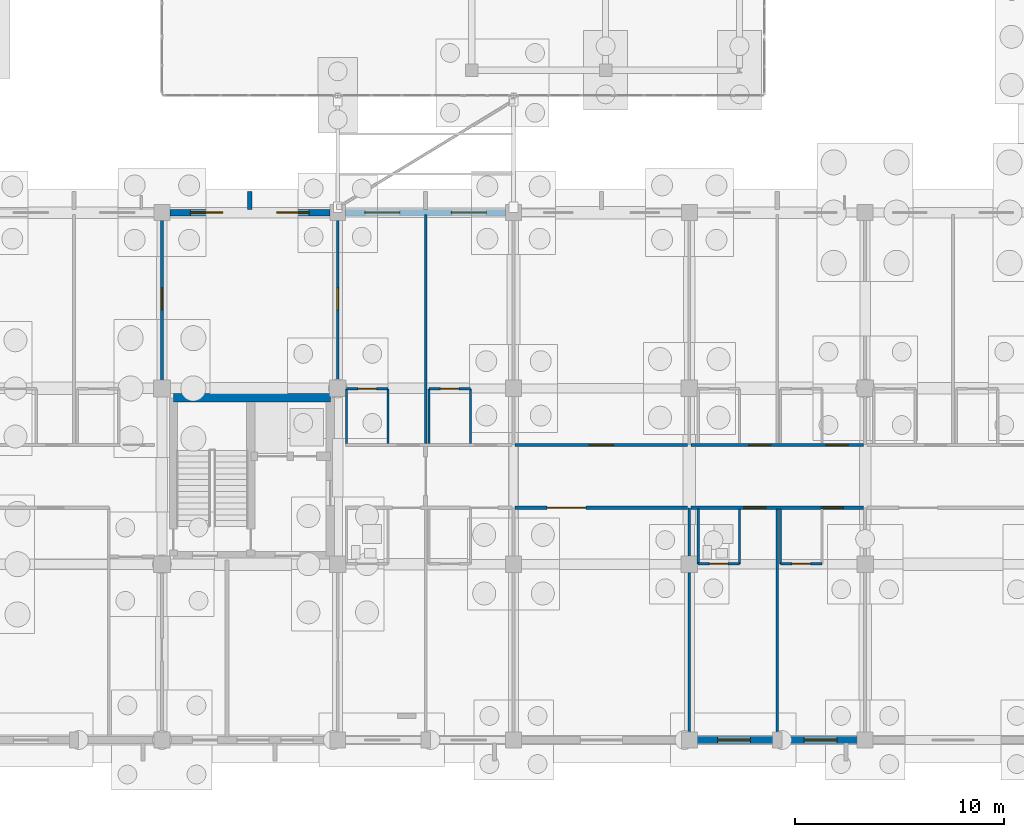
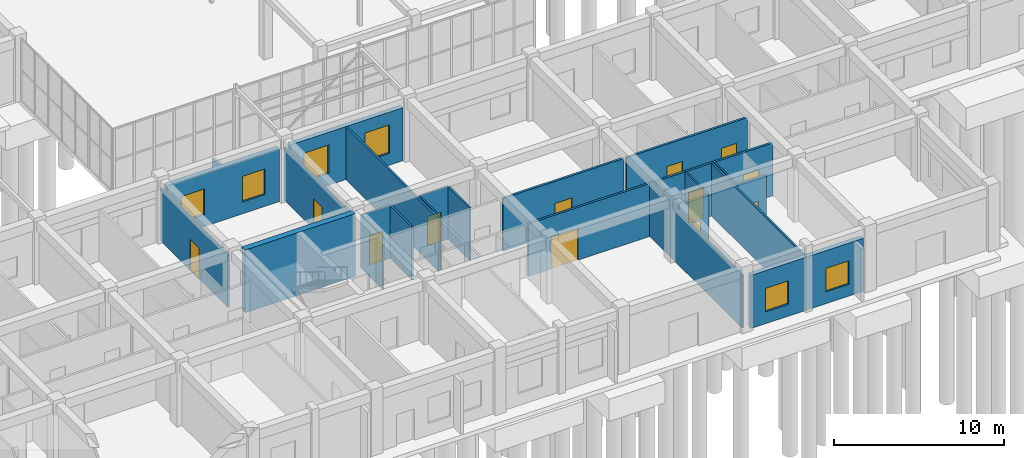
# One storey, part 157 of 192: 25 walls, 12 doors, 6 windows, 18 openings.
"""IFC4 building model written with IfcOpenShell, lengths in metres."""

from ifc_helpers import new_model, si_unit, direction, frame, frame_2d, origin, place, context, subcontext, project, spatial, rectangle, extrude, material, layer, layer_set, type_object, element, fill, save


model = new_model("IFC4")

# Units and contexts
model_context = context("Model", 3, precision=1e-05, world=origin(), true_north=direction((0.0, 1.0)))
body_context = subcontext(model_context, "Body", "Model", "MODEL_VIEW")
ifc_project = project(units=[si_unit("LENGTHUNIT", "METRE"), si_unit("AREAUNIT", "SQUARE_METRE"), si_unit("VOLUMEUNIT", "CUBIC_METRE"), si_unit("PLANEANGLEUNIT", "RADIAN"), si_unit("MASSUNIT", "GRAM", prefix="KILO")], contexts=[model_context])

# Site, building, storey
site_placement = place(None, origin())
site = spatial("IfcSite", under=ifc_project, at=site_placement, CompositionType="ELEMENT")
building_placement = place(site_placement, origin())
building = spatial("IfcBuilding", under=site, at=building_placement, Name="Trelvath General Hospital", CompositionType="ELEMENT")
storey_placement = place(building_placement, origin())
storey = spatial("IfcBuildingStorey", under=building, at=storey_placement, Name="L00", CompositionType="ELEMENT", Elevation=0.0)

# Wall
ifc_material_1 = material(Name="Precast concrete C40/50", Category="concrete")
ifc_layer_1 = layer(ifc_material_1, 0.199951171875)
ifc_layer_set_1 = layer_set([ifc_layer_1], Name="Precast concrete C40/50")
wall_type_1 = type_object("IfcWallType", Name="BriseSoleilRib 200", PredefinedType="ELEMENTEDWALL", material=ifc_layer_set_1)
wall_1_placement = place(storey_placement, frame((96.60009765625, 25.35009765625, 0.0), z_axis=(0.0, 0.0, 1.0), x_axis=(0.0, 1.0, 0.0)))
element("IfcWall", 1, at=wall_1_placement, inside=storey, type_object=wall_type_1, Name="Precast Concrete Brise-Soleil Rib Fin L00-41", PredefinedType="ELEMENTEDWALL", context=body_context, shape_type="SweptSolid", body=[
    extrude(rectangle(XDim=0.849853515625, YDim=0.199951171875, at=frame_2d((0.4248046875, 0.0))), origin(), (0.0, 0.0, 1.0), 3.800048828125),
])

# Wall, opening, door
ifc_material_2 = material(Name="Gypsum acoustic steel-stud partition", Category="steel")
ifc_layer_2 = layer(ifc_material_2, 0.14990234375)
ifc_layer_set_2 = layer_set([ifc_layer_2], Name="Gypsum acoustic steel-stud partition")
wall_type_2 = type_object("IfcWallType", Name="ClinicalPartition 150", PredefinedType="PARTITIONING", material=ifc_layer_set_2)
wall_2_placement = place(storey_placement, frame((109.280029296875, 11.10009765625, 0.0), z_axis=(0.0, 0.0, 1.0), x_axis=(1.0, 0.0, 0.0)))
wall_2 = element("IfcWall", 2, at=wall_2_placement, inside=storey, type_object=wall_type_2, Name="Corridor Partition L00-134", PredefinedType="PARTITIONING", context=body_context, shape_type="SweptSolid", body=[
    extrude(rectangle(XDim=8.239990234375, YDim=0.14990234375, at=frame_2d((4.1201171875, 0.0))), origin(), (0.0, 0.0, 1.0), 3.800048828125),
])
opening_1_placement = place(wall_2_placement, frame((1.530029296875, 0.0, 0.0)))
opening_1 = element("IfcOpeningElement", 3, at=opening_1_placement, cuts=wall_2, Name="Opening D-0-0348", PredefinedType="OPENING", context=body_context, shape_type="SweptSolid", body=[
    extrude(rectangle(XDim=1.85009765625, YDim=2.300048828125, at=frame_2d((0.925048828125, 1.14990234375))), frame((0.0, 0.0849609375, 0.0), z_axis=(0.0, -1.0, 0.0), x_axis=(1.0, 0.0, 0.0)), (0.0, 0.0, 1.0), 0.169921875),
])
ifc_material_3 = material(Name="Fire-rated steel cross-corridor pair", Category="steel")
door_type_1 = type_object("IfcDoorType", Name="Door SmokeCross 1850x2300", OperationType="DOUBLE_SWING_LEFT", PredefinedType="DOOR", material=ifc_material_3)
door_1_placement = place(opening_1_placement, origin())
door_1 = element("IfcDoor", 4, at=door_1_placement, inside=storey, type_object=door_type_1, Name="Waiting Lounge Door L00-348", OperationType="DOUBLE_SWING_LEFT", OverallHeight=2.300048828125, OverallWidth=1.85009765625, PredefinedType="DOOR", context=body_context, shape_type="SweptSolid", body=[
    extrude(rectangle(XDim=1.85009765625, YDim=2.300048828125, at=frame_2d((0.925048828125, 1.14990234375))), frame((0.0, 0.02490234375, 0.0), z_axis=(0.0, -1.0, 0.0), x_axis=(1.0, 0.0, 0.0)), (0.0, 0.0, 1.0), 0.050048828125),
])
fill(opening_1, door_1)

wall_3_placement = place(storey_placement, frame((117.52001953125, 14.10009765625, 0.0), z_axis=(0.0, 0.0, 1.0), x_axis=(-1.0, 0.0, 0.0)))
wall_3 = element("IfcWall", 5, at=wall_3_placement, inside=storey, type_object=wall_type_2, Name="Corridor Partition N L00-135", PredefinedType="PARTITIONING", context=body_context, shape_type="SweptSolid", body=[
    extrude(rectangle(XDim=8.239990234375, YDim=0.14990234375, at=frame_2d((4.1201171875, 0.0))), origin(), (0.0, 0.0, 1.0), 3.800048828125),
])
opening_2_placement = place(wall_3_placement, frame((3.544921875, 0.0, 0.0)))
opening_2 = element("IfcOpeningElement", 6, at=opening_2_placement, cuts=wall_3, Name="Opening D-0-0349", PredefinedType="OPENING", context=body_context, shape_type="SweptSolid", body=[
    extrude(rectangle(XDim=1.14990234375, YDim=2.199951171875, at=frame_2d((0.574951171875, 1.10009765625))), frame((0.0, 0.0849609375, 0.0), z_axis=(0.0, -1.0, 0.0), x_axis=(1.0, 0.0, 0.0)), (0.0, 0.0, 1.0), 0.169921875),
])
ifc_material_4 = material(Name="Phenolic cleanroom door")
door_type_2 = type_object("IfcDoorType", Name="Door Pharmacy 1150x2200", OperationType="NOTDEFINED", PredefinedType="DOOR", material=ifc_material_4)
door_2_placement = place(opening_2_placement, origin())
door_2 = element("IfcDoor", 7, at=door_2_placement, inside=storey, type_object=door_type_2, Name="Clinical Room Door L00-349", OperationType="SINGLE_SWING_RIGHT", OverallHeight=2.199951171875, OverallWidth=1.14990234375, PredefinedType="DOOR", context=body_context, shape_type="SweptSolid", body=[
    extrude(rectangle(XDim=1.14990234375, YDim=2.199951171875, at=frame_2d((0.574951171875, 1.10009765625))), frame((0.0, 0.02490234375, 0.0), z_axis=(0.0, -1.0, 0.0), x_axis=(1.0, 0.0, 0.0)), (0.0, 0.0, 1.0), 0.050048828125),
])
fill(opening_2, door_2)

# Wall, openings, doors
wall_4_placement = place(storey_placement, frame((117.679931640625, 11.10009765625, 0.0), z_axis=(0.0, 0.0, 1.0), x_axis=(1.0, 0.0, 0.0)))
wall_4 = element("IfcWall", 8, at=wall_4_placement, inside=storey, type_object=wall_type_2, Name="Corridor Partition L00-138", PredefinedType="PARTITIONING", context=body_context, shape_type="SweptSolid", body=[
    extrude(rectangle(XDim=8.239990234375, YDim=0.14990234375, at=frame_2d((4.1201171875, 0.0))), origin(), (0.0, 0.0, 1.0), 3.800048828125),
])
opening_3_placement = place(wall_4_placement, frame((2.530029296875, 0.0, 0.0)))
opening_3 = element("IfcOpeningElement", 9, at=opening_3_placement, cuts=wall_4, Name="Opening D-0-0350", PredefinedType="OPENING", context=body_context, shape_type="SweptSolid", body=[
    extrude(rectangle(XDim=1.050048828125, YDim=2.199951171875, at=frame_2d((0.52490234375, 1.10009765625))), frame((0.0, 0.0849609375, 0.0), z_axis=(0.0, -1.0, 0.0), x_axis=(1.0, 0.0, 0.0)), (0.0, 0.0, 1.0), 0.169921875),
])
opening_4_placement = place(wall_4_placement, frame((6.22998046875, 0.0, 0.0)))
opening_4 = element("IfcOpeningElement", 10, at=opening_4_placement, cuts=wall_4, Name="Opening D-0-0351", PredefinedType="OPENING", context=body_context, shape_type="SweptSolid", body=[
    extrude(rectangle(XDim=1.050048828125, YDim=2.199951171875, at=frame_2d((0.52490234375, 1.10009765625))), frame((0.0, 0.0849609375, 0.0), z_axis=(0.0, -1.0, 0.0), x_axis=(1.0, 0.0, 0.0)), (0.0, 0.0, 1.0), 0.169921875),
])
ifc_material_5 = material(Name="Acoustic hospital timber leaf", Category="wood")
door_type_3 = type_object("IfcDoorType", Name="Door Consult 1050x2200", OperationType="NOTDEFINED", PredefinedType="DOOR", material=ifc_material_5)
door_3_placement = place(opening_3_placement, origin())
door_3 = element("IfcDoor", 11, at=door_3_placement, inside=storey, type_object=door_type_3, Name="Patient Room Door L00-350", OperationType="SINGLE_SWING_LEFT", OverallHeight=2.199951171875, OverallWidth=1.050048828125, PredefinedType="DOOR", context=body_context, shape_type="SweptSolid", body=[
    extrude(rectangle(XDim=1.050048828125, YDim=2.199951171875, at=frame_2d((0.52490234375, 1.10009765625))), frame((0.0, 0.02490234375, 0.0), z_axis=(0.0, -1.0, 0.0), x_axis=(1.0, 0.0, 0.0)), (0.0, 0.0, 1.0), 0.050048828125),
])
fill(opening_3, door_3)
door_4_placement = place(opening_4_placement, origin())
door_4 = element("IfcDoor", 12, at=door_4_placement, inside=storey, type_object=door_type_3, Name="Patient Room Door L00-351", OperationType="SINGLE_SWING_RIGHT", OverallHeight=2.199951171875, OverallWidth=1.050048828125, PredefinedType="DOOR", context=body_context, shape_type="SweptSolid", body=[
    extrude(rectangle(XDim=1.050048828125, YDim=2.199951171875, at=frame_2d((0.52490234375, 1.10009765625))), frame((0.0, 0.02490234375, 0.0), z_axis=(0.0, -1.0, 0.0), x_axis=(1.0, 0.0, 0.0)), (0.0, 0.0, 1.0), 0.050048828125),
])
fill(opening_4, door_4)

wall_5_placement = place(storey_placement, frame((125.919921875, 14.10009765625, 0.0), z_axis=(0.0, 0.0, 1.0), x_axis=(-1.0, 0.0, 0.0)))
wall_5 = element("IfcWall", 13, at=wall_5_placement, inside=storey, type_object=wall_type_2, Name="Corridor Partition N L00-146", PredefinedType="PARTITIONING", context=body_context, shape_type="SweptSolid", body=[
    extrude(rectangle(XDim=8.239990234375, YDim=0.14990234375, at=frame_2d((4.1201171875, 0.0))), origin(), (0.0, 0.0, 1.0), 3.800048828125),
])
opening_5_placement = place(wall_5_placement, frame((0.72998046875, 0.0, 0.0)))
opening_5 = element("IfcOpeningElement", 14, at=opening_5_placement, cuts=wall_5, Name="Opening D-0-0354", PredefinedType="OPENING", context=body_context, shape_type="SweptSolid", body=[
    extrude(rectangle(XDim=1.050048828125, YDim=2.199951171875, at=frame_2d((0.52490234375, 1.10009765625))), frame((0.0, 0.0849609375, 0.0), z_axis=(0.0, -1.0, 0.0), x_axis=(1.0, 0.0, 0.0)), (0.0, 0.0, 1.0), 0.169921875),
])
opening_6_placement = place(wall_5_placement, frame((4.429931640625, 0.0, 0.0)))
opening_6 = element("IfcOpeningElement", 15, at=opening_6_placement, cuts=wall_5, Name="Opening D-0-0355", PredefinedType="OPENING", context=body_context, shape_type="SweptSolid", body=[
    extrude(rectangle(XDim=1.050048828125, YDim=2.199951171875, at=frame_2d((0.52490234375, 1.10009765625))), frame((0.0, 0.0849609375, 0.0), z_axis=(0.0, -1.0, 0.0), x_axis=(1.0, 0.0, 0.0)), (0.0, 0.0, 1.0), 0.169921875),
])
door_5_placement = place(opening_5_placement, origin())
door_5 = element("IfcDoor", 16, at=door_5_placement, inside=storey, type_object=door_type_3, Name="Patient Room Door N L00-354", OperationType="SINGLE_SWING_LEFT", OverallHeight=2.199951171875, OverallWidth=1.050048828125, PredefinedType="DOOR", context=body_context, shape_type="SweptSolid", body=[
    extrude(rectangle(XDim=1.050048828125, YDim=2.199951171875, at=frame_2d((0.52490234375, 1.10009765625))), frame((0.0, 0.02490234375, 0.0), z_axis=(0.0, -1.0, 0.0), x_axis=(1.0, 0.0, 0.0)), (0.0, 0.0, 1.0), 0.050048828125),
])
fill(opening_5, door_5)
door_6_placement = place(opening_6_placement, origin())
door_6 = element("IfcDoor", 17, at=door_6_placement, inside=storey, type_object=door_type_3, Name="Patient Room Door N L00-355", OperationType="SINGLE_SWING_LEFT", OverallHeight=2.199951171875, OverallWidth=1.050048828125, PredefinedType="DOOR", context=body_context, shape_type="SweptSolid", body=[
    extrude(rectangle(XDim=1.050048828125, YDim=2.199951171875, at=frame_2d((0.52490234375, 1.10009765625))), frame((0.0, 0.02490234375, 0.0), z_axis=(0.0, -1.0, 0.0), x_axis=(1.0, 0.0, 0.0)), (0.0, 0.0, 1.0), 0.050048828125),
])
fill(opening_6, door_6)

# Walls
ifc_material_6 = material(Name="Concrete C40/50", Category="concrete")
ifc_layer_3 = layer(ifc_material_6, 0.39990234375)
ifc_layer_set_3 = layer_set([ifc_layer_3], Name="Concrete C40/50")
wall_type_3 = type_object("IfcWallType", Name="CoreShearWall 400", PredefinedType="SHEAR", material=ifc_layer_set_3)
wall_6_placement = place(storey_placement, frame((92.949951171875, 16.35009765625, 0.0), z_axis=(0.0, 0.0, 1.0), x_axis=(1.0, 0.0, 0.0)))
element("IfcWall", 18, at=wall_6_placement, inside=storey, type_object=wall_type_3, Name="Core Shear Wall C5 N L00", PredefinedType="SHEAR", context=body_context, shape_type="SweptSolid", body=[
    extrude(rectangle(XDim=7.5, YDim=0.39990234375, at=frame_2d((3.75, 0.0))), origin(), (0.0, 0.0, 1.0), 4.52001953125),
])
ifc_material_7 = material(Name="Moisture-resistant tile partition")
ifc_layer_4 = layer(ifc_material_7, 0.110107421875)
ifc_layer_set_4 = layer_set([ifc_layer_4], Name="Moisture-resistant tile partition")
wall_type_4 = type_object("IfcWallType", Name="EnSuiteWetWall 110", PredefinedType="PARTITIONING", material=ifc_layer_set_4)
for number, where, z_axis, x_axis, name in (
    (19, (101.219970703125, 14.169921875, 0.0), (0.0, 0.0, 1.0), (0.0, 1.0, 0.0), "En-Suite W Wall N L00-125"),
    (20, (103.199951171875, 14.169921875, 0.0), (0.0, 0.0, 1.0), (0.0, 1.0, 0.0), "En-Suite E Wall N L00-126"),
):
    element("IfcWall", number, at=place(storey_placement, frame(where, z_axis=z_axis, x_axis=x_axis)), inside=storey, type_object=wall_type_4, Name=name, PredefinedType="PARTITIONING", context=body_context, shape_type="SweptSolid", body=[
        extrude(rectangle(XDim=2.610107421875, YDim=0.110107421875, at=frame_2d((1.30517578125, 0.0))), origin(), (0.0, 0.0, 1.0), 3.800048828125),
    ])

# Wall, opening, door
wall_7_placement = place(storey_placement, frame((101.219970703125, 16.780029296875, 0.0), z_axis=(0.0, 0.0, 1.0), x_axis=(1.0, 0.0, 0.0)))
wall_7 = element("IfcWall", 21, at=wall_7_placement, inside=storey, type_object=wall_type_4, Name="En-Suite Bathroom N Partition L00-127", PredefinedType="PARTITIONING", context=body_context, shape_type="SweptSolid", body=[
    extrude(rectangle(XDim=1.97998046875, YDim=0.110107421875, at=frame_2d((0.989990234375, 0.0))), origin(), (0.0, 0.0, 1.0), 3.800048828125),
])
opening_7_placement = place(wall_7_placement, frame((0.5400390625, 0.0, 0.0)))
opening_7 = element("IfcOpeningElement", 22, at=opening_7_placement, cuts=wall_7, Name="Opening D-0-0345", PredefinedType="OPENING", context=body_context, shape_type="SweptSolid", body=[
    extrude(rectangle(XDim=0.89990234375, YDim=2.10009765625, at=frame_2d((0.449951171875, 1.050048828125))), frame((0.0, 0.06494140625, 0.0), z_axis=(0.0, -1.0, 0.0), x_axis=(1.0, 0.0, 0.0)), (0.0, 0.0, 1.0), 0.130126953125),
])
ifc_material_8 = material(Name="Moisture-sealed timber leaf", Category="wood")
door_type_4 = type_object("IfcDoorType", Name="Door EnSuite 900x2100", OperationType="NOTDEFINED", PredefinedType="DOOR", material=ifc_material_8)
door_7_placement = place(opening_7_placement, origin())
door_7 = element("IfcDoor", 23, at=door_7_placement, inside=storey, type_object=door_type_4, Name="En-Suite Bathroom N Door L00-345", OperationType="SINGLE_SWING_RIGHT", OverallHeight=2.10009765625, OverallWidth=0.89990234375, PredefinedType="DOOR", context=body_context, shape_type="SweptSolid", body=[
    extrude(rectangle(XDim=0.89990234375, YDim=2.10009765625, at=frame_2d((0.449951171875, 1.050048828125))), frame((0.0, 0.02490234375, 0.0), z_axis=(0.0, -1.0, 0.0), x_axis=(1.0, 0.0, 0.0)), (0.0, 0.0, 1.0), 0.050048828125),
])
fill(opening_7, door_7)

# Walls
for number, where, z_axis, x_axis, name in (
    (24, (105.159912109375, 14.169921875, 0.0), (0.0, 0.0, 1.0), (0.0, 1.0, 0.0), "En-Suite W Wall N L00-128"),
    (25, (107.139892578125, 14.169921875, 0.0), (0.0, 0.0, 1.0), (0.0, 1.0, 0.0), "En-Suite E Wall N L00-129"),
):
    element("IfcWall", number, at=place(storey_placement, frame(where, z_axis=z_axis, x_axis=x_axis)), inside=storey, type_object=wall_type_4, Name=name, PredefinedType="PARTITIONING", context=body_context, shape_type="SweptSolid", body=[
        extrude(rectangle(XDim=2.610107421875, YDim=0.110107421875, at=frame_2d((1.30517578125, 0.0))), origin(), (0.0, 0.0, 1.0), 3.800048828125),
    ])

# Wall, opening, door
wall_8_placement = place(storey_placement, frame((105.159912109375, 16.780029296875, 0.0), z_axis=(0.0, 0.0, 1.0), x_axis=(1.0, 0.0, 0.0)))
wall_8 = element("IfcWall", 26, at=wall_8_placement, inside=storey, type_object=wall_type_4, Name="En-Suite Bathroom N Partition L00-130", PredefinedType="PARTITIONING", context=body_context, shape_type="SweptSolid", body=[
    extrude(rectangle(XDim=1.97998046875, YDim=0.110107421875, at=frame_2d((0.989990234375, 0.0))), origin(), (0.0, 0.0, 1.0), 3.800048828125),
])
opening_8_placement = place(wall_8_placement, frame((0.5400390625, 0.0, 0.0)))
opening_8 = element("IfcOpeningElement", 27, at=opening_8_placement, cuts=wall_8, Name="Opening D-0-0346", PredefinedType="OPENING", context=body_context, shape_type="SweptSolid", body=[
    extrude(rectangle(XDim=0.89990234375, YDim=2.10009765625, at=frame_2d((0.449951171875, 1.050048828125))), frame((0.0, 0.06494140625, 0.0), z_axis=(0.0, -1.0, 0.0), x_axis=(1.0, 0.0, 0.0)), (0.0, 0.0, 1.0), 0.130126953125),
])
door_8_placement = place(opening_8_placement, origin())
door_8 = element("IfcDoor", 28, at=door_8_placement, inside=storey, type_object=door_type_4, Name="En-Suite Bathroom N Door L00-346", OperationType="SINGLE_SWING_LEFT", OverallHeight=2.10009765625, OverallWidth=0.89990234375, PredefinedType="DOOR", context=body_context, shape_type="SweptSolid", body=[
    extrude(rectangle(XDim=0.89990234375, YDim=2.10009765625, at=frame_2d((0.449951171875, 1.050048828125))), frame((0.0, 0.02490234375, 0.0), z_axis=(0.0, -1.0, 0.0), x_axis=(1.0, 0.0, 0.0)), (0.0, 0.0, 1.0), 0.050048828125),
])
fill(opening_8, door_8)

# Walls
for number, where, z_axis, x_axis, name in (
    (29, (118.02001953125, 8.419921875, 0.0), (0.0, 0.0, 1.0), (0.0, 1.0, 0.0), "En-Suite W Wall L00-140"),
    (30, (120.0, 8.419921875, 0.0), (0.0, 0.0, 1.0), (0.0, 1.0, 0.0), "En-Suite E Wall L00-141"),
):
    element("IfcWall", number, at=place(storey_placement, frame(where, z_axis=z_axis, x_axis=x_axis)), inside=storey, type_object=wall_type_4, Name=name, PredefinedType="PARTITIONING", context=body_context, shape_type="SweptSolid", body=[
        extrude(rectangle(XDim=2.610107421875, YDim=0.110107421875, at=frame_2d((1.30517578125, 0.0))), origin(), (0.0, 0.0, 1.0), 3.800048828125),
    ])

# Wall, opening, door
wall_9_placement = place(storey_placement, frame((118.02001953125, 8.419921875, 0.0), z_axis=(0.0, 0.0, 1.0), x_axis=(1.0, 0.0, 0.0)))
wall_9 = element("IfcWall", 31, at=wall_9_placement, inside=storey, type_object=wall_type_4, Name="En-Suite Bathroom Partition L00-142", PredefinedType="PARTITIONING", context=body_context, shape_type="SweptSolid", body=[
    extrude(rectangle(XDim=1.97998046875, YDim=0.110107421875, at=frame_2d((0.989990234375, 0.0))), origin(), (0.0, 0.0, 1.0), 3.800048828125),
])
opening_9_placement = place(wall_9_placement, frame((0.5400390625, 0.0, 0.0)))
opening_9 = element("IfcOpeningElement", 32, at=opening_9_placement, cuts=wall_9, Name="Opening D-0-0352", PredefinedType="OPENING", context=body_context, shape_type="SweptSolid", body=[
    extrude(rectangle(XDim=0.89990234375, YDim=2.10009765625, at=frame_2d((0.449951171875, 1.050048828125))), frame((0.0, 0.06494140625, 0.0), z_axis=(0.0, -1.0, 0.0), x_axis=(1.0, 0.0, 0.0)), (0.0, 0.0, 1.0), 0.130126953125),
])
door_9_placement = place(opening_9_placement, origin())
door_9 = element("IfcDoor", 33, at=door_9_placement, inside=storey, type_object=door_type_4, Name="En-Suite Bathroom Door L00-352", OperationType="SINGLE_SWING_LEFT", OverallHeight=2.10009765625, OverallWidth=0.89990234375, PredefinedType="DOOR", context=body_context, shape_type="SweptSolid", body=[
    extrude(rectangle(XDim=0.89990234375, YDim=2.10009765625, at=frame_2d((0.449951171875, 1.050048828125))), frame((0.0, 0.02490234375, 0.0), z_axis=(0.0, -1.0, 0.0), x_axis=(1.0, 0.0, 0.0)), (0.0, 0.0, 1.0), 0.050048828125),
])
fill(opening_9, door_9)

# Wall
wall_10_placement = place(storey_placement, frame((121.9599609375, 8.419921875, 0.0), z_axis=(0.0, 0.0, 1.0), x_axis=(0.0, 1.0, 0.0)))
element("IfcWall", 34, at=wall_10_placement, inside=storey, type_object=wall_type_4, Name="En-Suite W Wall L00-143", PredefinedType="PARTITIONING", context=body_context, shape_type="SweptSolid", body=[
    extrude(rectangle(XDim=2.610107421875, YDim=0.110107421875, at=frame_2d((1.30517578125, 0.0))), origin(), (0.0, 0.0, 1.0), 3.800048828125),
])

# Wall, opening, door
wall_11_placement = place(storey_placement, frame((121.9599609375, 8.419921875, 0.0), z_axis=(0.0, 0.0, 1.0), x_axis=(1.0, 0.0, 0.0)))
wall_11 = element("IfcWall", 35, at=wall_11_placement, inside=storey, type_object=wall_type_4, Name="En-Suite Bathroom Partition L00-145", PredefinedType="PARTITIONING", context=body_context, shape_type="SweptSolid", body=[
    extrude(rectangle(XDim=1.97998046875, YDim=0.110107421875, at=frame_2d((0.989990234375, 0.0))), origin(), (0.0, 0.0, 1.0), 3.800048828125),
])
opening_10_placement = place(wall_11_placement, frame((0.5400390625, 0.0, 0.0)))
opening_10 = element("IfcOpeningElement", 36, at=opening_10_placement, cuts=wall_11, Name="Opening D-0-0353", PredefinedType="OPENING", context=body_context, shape_type="SweptSolid", body=[
    extrude(rectangle(XDim=0.89990234375, YDim=2.10009765625, at=frame_2d((0.449951171875, 1.050048828125))), frame((0.0, 0.06494140625, 0.0), z_axis=(0.0, -1.0, 0.0), x_axis=(1.0, 0.0, 0.0)), (0.0, 0.0, 1.0), 0.130126953125),
])
door_10_placement = place(opening_10_placement, origin())
door_10 = element("IfcDoor", 37, at=door_10_placement, inside=storey, type_object=door_type_4, Name="En-Suite Bathroom Door L00-353", OperationType="SINGLE_SWING_RIGHT", OverallHeight=2.10009765625, OverallWidth=0.89990234375, PredefinedType="DOOR", context=body_context, shape_type="SweptSolid", body=[
    extrude(rectangle(XDim=0.89990234375, YDim=2.10009765625, at=frame_2d((0.449951171875, 1.050048828125))), frame((0.0, 0.02490234375, 0.0), z_axis=(0.0, -1.0, 0.0), x_axis=(1.0, 0.0, 0.0)), (0.0, 0.0, 1.0), 0.050048828125),
])
fill(opening_10, door_10)

# Wall, openings, windows
ifc_material_9 = material(Name="Concrete C35/45", Category="concrete")
ifc_layer_5 = layer(ifc_material_9, 0.320068359375)
ifc_layer_set_5 = layer_set([ifc_layer_5], Name="Concrete C35/45")
wall_type_5 = type_object("IfcWallType", Name="ExtThermalWall 320", PredefinedType="SOLIDWALL", material=ifc_layer_set_5)
wall_12_placement = place(storey_placement, frame((92.77490234375, 25.199951171875, 0.0), z_axis=(0.0, 0.0, 1.0), x_axis=(1.0, 0.0, 0.0)))
wall_12 = element("IfcWall", 38, at=wall_12_placement, inside=storey, type_object=wall_type_5, Name="Exterior Concrete Wall L00-65", PredefinedType="SOLIDWALL", context=body_context, shape_type="SweptSolid", body=[
    extrude(rectangle(XDim=7.650146484375, YDim=0.320068359375, at=frame_2d((3.8251953125, 0.0))), origin(), (0.0, 0.0, 1.0), 3.820068359375),
])
opening_11_placement = place(wall_12_placement, frame((0.989501953125, 0.0, 0.85009765625)))
opening_11 = element("IfcOpeningElement", 39, at=opening_11_placement, cuts=wall_12, Name="Opening WN-0-089", PredefinedType="OPENING", context=body_context, shape_type="SweptSolid", body=[
    extrude(rectangle(XDim=1.5400390625, YDim=1.85009765625, at=frame_2d((0.77001953125, 0.925048828125))), frame((0.0, 0.169921875, 0.0), z_axis=(0.0, -1.0, 0.0), x_axis=(1.0, 0.0, 0.0)), (0.0, 0.0, 1.0), 0.340087890625),
])
opening_12_placement = place(wall_12_placement, frame((5.12060546875, 0.0, 0.85009765625)))
opening_12 = element("IfcOpeningElement", 40, at=opening_12_placement, cuts=wall_12, Name="Opening WN-0-090", PredefinedType="OPENING", context=body_context, shape_type="SweptSolid", body=[
    extrude(rectangle(XDim=1.5400390625, YDim=1.85009765625, at=frame_2d((0.77001953125, 0.925048828125))), frame((0.0, 0.169921875, 0.0), z_axis=(0.0, -1.0, 0.0), x_axis=(1.0, 0.0, 0.0)), (0.0, 0.0, 1.0), 0.340087890625),
])
ifc_material_10 = material(Name="Low-E laminated glass", Category="glass")
window_type_1 = type_object("IfcWindowType", Name="Window Waiting 1540x1850", PartitioningType="DOUBLE_PANEL_VERTICAL", PredefinedType="WINDOW", material=ifc_material_10)
window_1_placement = place(opening_11_placement, origin())
window_1 = element("IfcWindow", 41, at=window_1_placement, inside=storey, type_object=window_type_1, Name="Solar Reveal Window L00-89", OverallHeight=1.85009765625, OverallWidth=1.5400390625, PartitioningType="SINGLE_PANEL", PredefinedType="WINDOW", context=body_context, shape_type="SweptSolid", body=[
    extrude(rectangle(XDim=1.5400390625, YDim=1.85009765625, at=frame_2d((0.77001953125, 0.925048828125))), frame((0.0, 0.030029296875, 0.0), z_axis=(0.0, -1.0, 0.0), x_axis=(1.0, 0.0, 0.0)), (0.0, 0.0, 1.0), 0.06005859375),
])
fill(opening_11, window_1)
window_2_placement = place(opening_12_placement, origin())
window_2 = element("IfcWindow", 42, at=window_2_placement, inside=storey, type_object=window_type_1, Name="Solar Reveal Window L00-90", OverallHeight=1.85009765625, OverallWidth=1.5400390625, PartitioningType="SINGLE_PANEL", PredefinedType="WINDOW", context=body_context, shape_type="SweptSolid", body=[
    extrude(rectangle(XDim=1.5400390625, YDim=1.85009765625, at=frame_2d((0.77001953125, 0.925048828125))), frame((0.0, 0.030029296875, 0.0), z_axis=(0.0, -1.0, 0.0), x_axis=(1.0, 0.0, 0.0)), (0.0, 0.0, 1.0), 0.06005859375),
])
fill(opening_12, window_2)

wall_13_placement = place(storey_placement, frame((101.175048828125, 25.199951171875, 0.0), z_axis=(0.0, 0.0, 1.0), x_axis=(1.0, 0.0, 0.0)))
wall_13 = element("IfcWall", 43, at=wall_13_placement, inside=storey, type_object=wall_type_5, Name="Exterior Concrete Wall L00-69", PredefinedType="SOLIDWALL", context=body_context, shape_type="SweptSolid", body=[
    extrude(rectangle(XDim=7.64990234375, YDim=0.320068359375, at=frame_2d((3.824951171875, 0.0))), origin(), (0.0, 0.0, 1.0), 3.820068359375),
])
opening_13_placement = place(wall_13_placement, frame((0.91943359375, 0.0, 0.85009765625)))
opening_13 = element("IfcOpeningElement", 44, at=opening_13_placement, cuts=wall_13, Name="Opening WN-0-097", PredefinedType="OPENING", context=body_context, shape_type="SweptSolid", body=[
    extrude(rectangle(XDim=1.679931640625, YDim=2.050048828125, at=frame_2d((0.83984375, 1.02490234375))), frame((0.0, 0.169921875, 0.0), z_axis=(0.0, -1.0, 0.0), x_axis=(1.0, 0.0, 0.0)), (0.0, 0.0, 1.0), 0.340087890625),
])
opening_14_placement = place(wall_13_placement, frame((5.050537109375, 0.0, 0.85009765625)))
opening_14 = element("IfcOpeningElement", 45, at=opening_14_placement, cuts=wall_13, Name="Opening WN-0-098", PredefinedType="OPENING", context=body_context, shape_type="SweptSolid", body=[
    extrude(rectangle(XDim=1.679931640625, YDim=2.050048828125, at=frame_2d((0.83984375, 1.02490234375))), frame((0.0, 0.169921875, 0.0), z_axis=(0.0, -1.0, 0.0), x_axis=(1.0, 0.0, 0.0)), (0.0, 0.0, 1.0), 0.340087890625),
])
ifc_material_11 = material(Name="Low-E laminated glass", Category="glass")
window_type_2 = type_object("IfcWindowType", Name="Window Cafe 1680x2050", PartitioningType="DOUBLE_PANEL_VERTICAL", PredefinedType="WINDOW", material=ifc_material_11)
window_3_placement = place(opening_13_placement, origin())
window_3 = element("IfcWindow", 46, at=window_3_placement, inside=storey, type_object=window_type_2, Name="Solar Reveal Window L00-97", OverallHeight=2.050048828125, OverallWidth=1.679931640625, PartitioningType="SINGLE_PANEL", PredefinedType="WINDOW", context=body_context, shape_type="SweptSolid", body=[
    extrude(rectangle(XDim=1.679931640625, YDim=2.050048828125, at=frame_2d((0.83984375, 1.02490234375))), frame((0.0, 0.030029296875, 0.0), z_axis=(0.0, -1.0, 0.0), x_axis=(1.0, 0.0, 0.0)), (0.0, 0.0, 1.0), 0.06005859375),
])
fill(opening_13, window_3)
window_4_placement = place(opening_14_placement, origin())
window_4 = element("IfcWindow", 47, at=window_4_placement, inside=storey, type_object=window_type_2, Name="Solar Reveal Window L00-98", OverallHeight=2.050048828125, OverallWidth=1.679931640625, PartitioningType="SINGLE_PANEL", PredefinedType="WINDOW", context=body_context, shape_type="SweptSolid", body=[
    extrude(rectangle(XDim=1.679931640625, YDim=2.050048828125, at=frame_2d((0.83984375, 1.02490234375))), frame((0.0, 0.030029296875, 0.0), z_axis=(0.0, -1.0, 0.0), x_axis=(1.0, 0.0, 0.0)), (0.0, 0.0, 1.0), 0.06005859375),
])
fill(opening_14, window_4)

wall_14_placement = place(storey_placement, frame((125.625, 0.0, 0.0), z_axis=(0.0, 0.0, 1.0), x_axis=(-1.0, 0.0, 0.0)))
wall_14 = element("IfcWall", 48, at=wall_14_placement, inside=storey, type_object=wall_type_5, Name="Exterior Concrete Wall L00-76", PredefinedType="SOLIDWALL", context=body_context, shape_type="SweptSolid", body=[
    extrude(rectangle(XDim=7.64990234375, YDim=0.320068359375, at=frame_2d((3.824951171875, 0.0))), origin(), (0.0, 0.0, 1.0), 3.820068359375),
])
opening_15_placement = place(wall_14_placement, frame((0.9794921875, 0.0, 0.85009765625)))
opening_15 = element("IfcOpeningElement", 49, at=opening_15_placement, cuts=wall_14, Name="Opening WN-0-107", PredefinedType="OPENING", context=body_context, shape_type="SweptSolid", body=[
    extrude(rectangle(XDim=1.56005859375, YDim=1.699951171875, at=frame_2d((0.780029296875, 0.85009765625))), frame((0.0, 0.169921875, 0.0), z_axis=(0.0, -1.0, 0.0), x_axis=(1.0, 0.0, 0.0)), (0.0, 0.0, 1.0), 0.340087890625),
])
opening_16_placement = place(wall_14_placement, frame((5.110595703125, 0.0, 0.85009765625)))
opening_16 = element("IfcOpeningElement", 50, at=opening_16_placement, cuts=wall_14, Name="Opening WN-0-108", PredefinedType="OPENING", context=body_context, shape_type="SweptSolid", body=[
    extrude(rectangle(XDim=1.56005859375, YDim=1.699951171875, at=frame_2d((0.780029296875, 0.85009765625))), frame((0.0, 0.169921875, 0.0), z_axis=(0.0, -1.0, 0.0), x_axis=(1.0, 0.0, 0.0)), (0.0, 0.0, 1.0), 0.340087890625),
])
ifc_material_12 = material(Name="Low-E laminated glass", Category="glass")
window_type_3 = type_object("IfcWindowType", Name="Window Dialysis 1560x1700", PartitioningType="DOUBLE_PANEL_VERTICAL", PredefinedType="WINDOW", material=ifc_material_12)
window_5_placement = place(opening_15_placement, origin())
window_5 = element("IfcWindow", 51, at=window_5_placement, inside=storey, type_object=window_type_3, Name="Solar Reveal Window L00-107", OverallHeight=1.699951171875, OverallWidth=1.56005859375, PartitioningType="SINGLE_PANEL", PredefinedType="WINDOW", context=body_context, shape_type="SweptSolid", body=[
    extrude(rectangle(XDim=1.56005859375, YDim=1.699951171875, at=frame_2d((0.780029296875, 0.85009765625))), frame((0.0, 0.030029296875, 0.0), z_axis=(0.0, -1.0, 0.0), x_axis=(1.0, 0.0, 0.0)), (0.0, 0.0, 1.0), 0.06005859375),
])
fill(opening_15, window_5)
window_6_placement = place(opening_16_placement, origin())
window_6 = element("IfcWindow", 52, at=window_6_placement, inside=storey, type_object=window_type_3, Name="Solar Reveal Window L00-108", OverallHeight=1.699951171875, OverallWidth=1.56005859375, PartitioningType="SINGLE_PANEL", PredefinedType="WINDOW", context=body_context, shape_type="SweptSolid", body=[
    extrude(rectangle(XDim=1.56005859375, YDim=1.699951171875, at=frame_2d((0.780029296875, 0.85009765625))), frame((0.0, 0.030029296875, 0.0), z_axis=(0.0, -1.0, 0.0), x_axis=(1.0, 0.0, 0.0)), (0.0, 0.0, 1.0), 0.06005859375),
])
fill(opening_16, window_6)

# Wall, opening, door
ifc_material_13 = material(Name="Gypsum acoustic steel-stud partition", Category="steel")
ifc_layer_6 = layer(ifc_material_13, 0.1298828125)
ifc_layer_set_6 = layer_set([ifc_layer_6], Name="Gypsum acoustic steel-stud partition")
wall_type_6 = type_object("IfcWallType", Name="WardPartition 130", PredefinedType="PARTITIONING", material=ifc_layer_set_6)
wall_15_placement = place(storey_placement, frame((92.39990234375, 17.14990234375, 0.0), z_axis=(0.0, 0.0, 1.0), x_axis=(0.0, 1.0, 0.0)))
wall_15 = element("IfcWall", 53, at=wall_15_placement, inside=storey, type_object=wall_type_6, Name="Inter-Bay Ward Partition N L00-110", PredefinedType="PARTITIONING", context=body_context, shape_type="SweptSolid", body=[
    extrude(rectangle(XDim=7.91015625, YDim=0.1298828125, at=frame_2d((3.955078125, 0.0))), origin(), (0.0, 0.0, 1.0), 3.800048828125),
])
opening_17_placement = place(wall_15_placement, frame((3.39990234375, 0.0, 0.0)))
opening_17 = element("IfcOpeningElement", 54, at=opening_17_placement, cuts=wall_15, Name="Opening D-0-0336", PredefinedType="OPENING", context=body_context, shape_type="SweptSolid", body=[
    extrude(rectangle(XDim=1.050048828125, YDim=2.199951171875, at=frame_2d((0.52490234375, 1.10009765625))), frame((0.0, 0.074951171875, 0.0), z_axis=(0.0, -1.0, 0.0), x_axis=(1.0, 0.0, 0.0)), (0.0, 0.0, 1.0), 0.14990234375),
])
door_11_placement = place(opening_17_placement, origin())
door_11 = element("IfcDoor", 55, at=door_11_placement, inside=storey, type_object=door_type_3, Name="Consultation Connecting Door L00-336", OperationType="SINGLE_SWING_RIGHT", OverallHeight=2.199951171875, OverallWidth=1.050048828125, PredefinedType="DOOR", context=body_context, shape_type="SweptSolid", body=[
    extrude(rectangle(XDim=1.050048828125, YDim=2.199951171875, at=frame_2d((0.52490234375, 1.10009765625))), frame((0.0, 0.02490234375, 0.0), z_axis=(0.0, -1.0, 0.0), x_axis=(1.0, 0.0, 0.0)), (0.0, 0.0, 1.0), 0.050048828125),
])
fill(opening_17, door_11)

wall_16_placement = place(storey_placement, frame((100.800048828125, 17.14990234375, 0.0), z_axis=(0.0, 0.0, 1.0), x_axis=(0.0, 1.0, 0.0)))
wall_16 = element("IfcWall", 56, at=wall_16_placement, inside=storey, type_object=wall_type_6, Name="Inter-Bay Ward Partition N L00-113", PredefinedType="PARTITIONING", context=body_context, shape_type="SweptSolid", body=[
    extrude(rectangle(XDim=7.91015625, YDim=0.1298828125, at=frame_2d((3.955078125, 0.0))), origin(), (0.0, 0.0, 1.0), 3.800048828125),
])
opening_18_placement = place(wall_16_placement, frame((3.39990234375, 0.0, 0.0)))
opening_18 = element("IfcOpeningElement", 57, at=opening_18_placement, cuts=wall_16, Name="Opening D-0-0338", PredefinedType="OPENING", context=body_context, shape_type="SweptSolid", body=[
    extrude(rectangle(XDim=1.050048828125, YDim=2.199951171875, at=frame_2d((0.52490234375, 1.10009765625))), frame((0.0, 0.074951171875, 0.0), z_axis=(0.0, -1.0, 0.0), x_axis=(1.0, 0.0, 0.0)), (0.0, 0.0, 1.0), 0.14990234375),
])
door_12_placement = place(opening_18_placement, origin())
door_12 = element("IfcDoor", 58, at=door_12_placement, inside=storey, type_object=door_type_3, Name="Consultation Connecting Door L00-338", OperationType="SINGLE_SWING_RIGHT", OverallHeight=2.199951171875, OverallWidth=1.050048828125, PredefinedType="DOOR", context=body_context, shape_type="SweptSolid", body=[
    extrude(rectangle(XDim=1.050048828125, YDim=2.199951171875, at=frame_2d((0.52490234375, 1.10009765625))), frame((0.0, 0.02490234375, 0.0), z_axis=(0.0, -1.0, 0.0), x_axis=(1.0, 0.0, 0.0)), (0.0, 0.0, 1.0), 0.050048828125),
])
fill(opening_18, door_12)

# Walls
wall_17_placement = place(storey_placement, frame((105.0, 14.169921875, 0.0), z_axis=(0.0, 0.0, 1.0), x_axis=(0.0, 1.0, 0.0)))
element("IfcWall", 59, at=wall_17_placement, inside=storey, type_object=wall_type_6, Name="Room Dividing Partition N L00-124", PredefinedType="PARTITIONING", context=body_context, shape_type="SweptSolid", body=[
    extrude(rectangle(XDim=10.93017578125, YDim=0.1298828125, at=frame_2d((5.465087890625, 0.0))), origin(), (0.0, 0.0, 1.0), 3.800048828125),
])
wall_18_placement = place(storey_placement, frame((117.60009765625, 0.139892578125, 0.0), z_axis=(0.0, 0.0, 1.0), x_axis=(0.0, 1.0, 0.0)))
element("IfcWall", 60, at=wall_18_placement, inside=storey, type_object=wall_type_6, Name="Inter-Bay Ward Partition S L00-136", PredefinedType="PARTITIONING", context=body_context, shape_type="SweptSolid", body=[
    extrude(rectangle(XDim=10.940185546875, YDim=0.1298828125, at=frame_2d((5.47021484375, 0.0))), origin(), (0.0, 0.0, 1.0), 3.800048828125),
])
wall_19_placement = place(storey_placement, frame((121.800048828125, 0.10009765625, 0.0), z_axis=(0.0, 0.0, 1.0), x_axis=(0.0, 1.0, 0.0)))
element("IfcWall", 61, at=wall_19_placement, inside=storey, type_object=wall_type_6, Name="Room Dividing Partition S L00-139", PredefinedType="PARTITIONING", context=body_context, shape_type="SweptSolid", body=[
    extrude(rectangle(XDim=10.929931640625, YDim=0.1298828125, at=frame_2d((5.46484375, 0.0))), origin(), (0.0, 0.0, 1.0), 3.800048828125),
])

save(model, "model.ifc")
